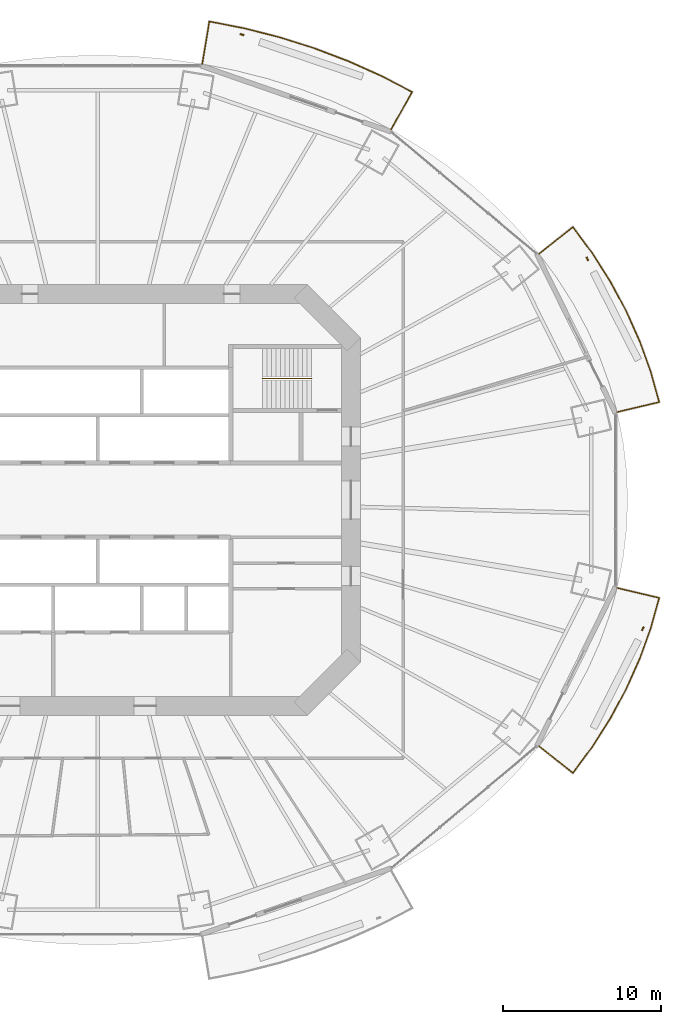
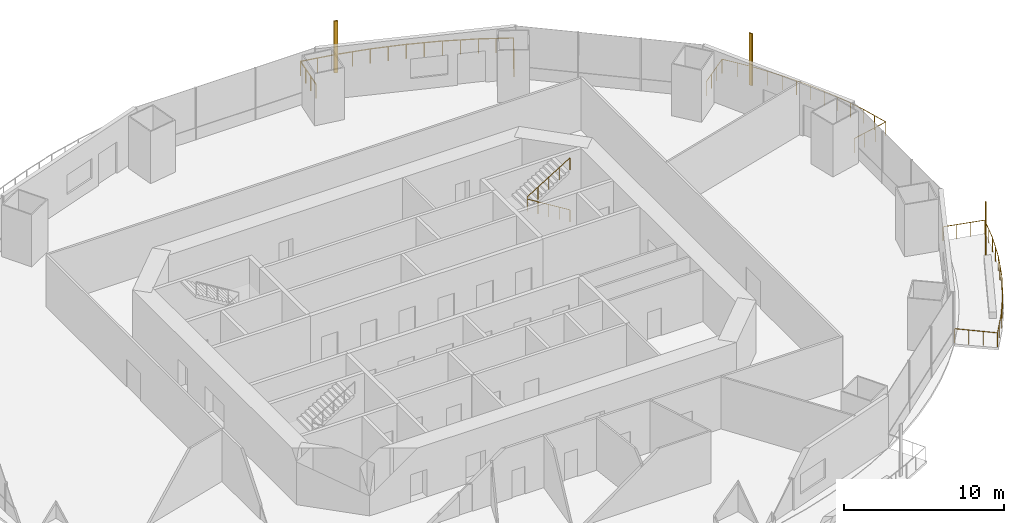
# One storey, part 19 of 20: 4 railings, 3 shading devices.
"""IFC4 building model written with IfcOpenShell, lengths in metres."""

from ifc_helpers import new_model, si_unit, direction, frame, origin, origin_2d, place, context, subcontext, project, spatial, rectangle, circle, extrude, material, material_profile, profile_set, type_object, element, save


model = new_model("IFC4")

# Units and contexts
model_context = context("Model", 3, precision=1e-05, world=origin(), true_north=direction((0.0, 1.0)))
body_context = subcontext(model_context, "Body", "Model", "MODEL_VIEW")
ifc_project = project(units=[si_unit("LENGTHUNIT", "METRE"), si_unit("AREAUNIT", "SQUARE_METRE"), si_unit("VOLUMEUNIT", "CUBIC_METRE"), si_unit("PLANEANGLEUNIT", "RADIAN"), si_unit("MASSUNIT", "GRAM", prefix="KILO")], contexts=[model_context])

# Site, building, storey
site_placement = place(None, origin())
site = spatial("IfcSite", under=ifc_project, at=site_placement, CompositionType="ELEMENT")
building_placement = place(site_placement, origin())
building = spatial("IfcBuilding", under=site, at=building_placement, Name="Marenthal Gate Tower", CompositionType="ELEMENT")
storey_placement = place(building_placement, frame((0.0, 0.0, 132.60009765625)))
storey = spatial("IfcBuildingStorey", under=building, at=storey_placement, Name="L28", CompositionType="ELEMENT", Elevation=132.60009765625)

# Railings
ifc_material_1 = material(Name="Stainless steel", Category="steel")
railing_type_1 = type_object("IfcRailingType", Name="Balcony guard 1100", PredefinedType="GUARDRAIL", material=ifc_material_1)
railing_1_placement = place(storey_placement, frame((27.872314453125, 15.5361328125, 0.0)))
element("IfcRailing", 1, at=railing_1_placement, inside=storey, type_object=railing_type_1, Name="Balcony guard L28 bay 1", PredefinedType="GUARDRAIL", context=body_context, shape_type="SweptSolid", body=[
    extrude(circle(Radius=0.02392578125, at=origin_2d()), frame((0.0, 0.0, 1.076171875), z_axis=(0.782497400994, 0.622479868482, -0.014718382127), x_axis=(-0.622547303586, 0.782582171275, 0.0)), (0.0, 0.0, 1.0), 2.720458984375),
    extrude(circle(Radius=0.02392578125, at=origin_2d()), frame((2.128662109375, 1.693359375, 1.0361328125), z_axis=(0.594330839548, -0.80422064955, 0.0), x_axis=(0.80422064955, 0.594330839548, 0.0)), (0.0, 0.0, 1.0), 2.0517578125),
    extrude(circle(Radius=0.02392578125, at=origin_2d()), frame((3.34814453125, 0.043212890625, 1.0361328125), z_axis=(0.537211554798, -0.843447535649, 0.0), x_axis=(0.843447535649, 0.537211554798, 0.0)), (0.0, 0.0, 1.0), 2.114990234375),
    extrude(circle(Radius=0.02392578125, at=origin_2d()), frame((4.484375, -1.74072265625, 1.0361328125), z_axis=(0.475084098287, -0.879940395456, 0.0), x_axis=(0.879940395456, 0.475084098287, 0.0)), (0.0, 0.0, 1.0), 2.099853515625),
    extrude(circle(Radius=0.02392578125, at=origin_2d()), frame((5.48193359375, -3.58837890625, 1.0361328125), z_axis=(0.409274320643, -0.912411382252, 0.0), x_axis=(0.912411382252, 0.409274320643, 0.0)), (0.0, 0.0, 1.0), 2.0859375),
    extrude(circle(Radius=0.02392578125, at=origin_2d()), frame((6.335693359375, -5.49169921875, 1.0361328125), z_axis=(0.339927901039, -0.940451499066, 0.0), x_axis=(0.940451499066, 0.339927901039, 0.0)), (0.0, 0.0, 1.0), 2.07421875),
    extrude(circle(Radius=0.02392578125, at=origin_2d()), frame((7.040771484375, -7.4423828125, 1.0361328125), z_axis=(0.269159912303, -0.963095499735, 0.0), x_axis=(0.963095499735, 0.269159912303, 0.0)), (0.0, 0.0, 1.0), 1.984619140625),
    extrude(circle(Radius=0.02392578125, at=origin_2d()), frame((7.574951171875, -9.353759765625, 1.0361328125), z_axis=(-0.972966930586, -0.230474963356, 0.014718806071), x_axis=(0.230499932836, -0.973072341074, 0.0)), (0.0, 0.0, 1.0), 2.72021484375),
    extrude(circle(Radius=0.02099609375, at=origin_2d()), origin(), (0.0, 0.0, 1.0), 1.052001953125),
    extrude(circle(Radius=0.02099609375, at=origin_2d()), frame((0.70947265625, 0.564453125, -0.013427734375)), (0.0, 0.0, 1.0), 1.052001953125),
    extrude(circle(Radius=0.02099609375, at=origin_2d()), frame((1.419189453125, 1.12890625, -0.026611328125)), (0.0, 0.0, 1.0), 1.052001953125),
    extrude(circle(Radius=0.02099609375, at=origin_2d()), frame((2.128662109375, 1.693359375, -0.0400390625)), (0.0, 0.0, 1.0), 1.052001953125),
    extrude(circle(Radius=0.02099609375, at=origin_2d()), frame((2.73828125, 0.8681640625, -0.0400390625)), (0.0, 0.0, 1.0), 1.052001953125),
    extrude(circle(Radius=0.02099609375, at=origin_2d()), frame((3.34814453125, 0.043212890625, -0.0400390625)), (0.0, 0.0, 1.0), 1.052001953125),
    extrude(circle(Radius=0.02099609375, at=origin_2d()), frame((3.916259765625, -0.8486328125, -0.0400390625)), (0.0, 0.0, 1.0), 1.052001953125),
    extrude(circle(Radius=0.02099609375, at=origin_2d()), frame((4.484375, -1.74072265625, -0.0400390625)), (0.0, 0.0, 1.0), 1.052001953125),
    extrude(circle(Radius=0.02099609375, at=origin_2d()), frame((4.983154296875, -2.66455078125, -0.0400390625)), (0.0, 0.0, 1.0), 1.052001953125),
    extrude(circle(Radius=0.02099609375, at=origin_2d()), frame((5.48193359375, -3.58837890625, -0.0400390625)), (0.0, 0.0, 1.0), 1.052001953125),
    extrude(circle(Radius=0.02099609375, at=origin_2d()), frame((5.90869140625, -4.5400390625, -0.0400390625)), (0.0, 0.0, 1.0), 1.052001953125),
    extrude(circle(Radius=0.02099609375, at=origin_2d()), frame((6.335693359375, -5.49169921875, -0.0400390625)), (0.0, 0.0, 1.0), 1.052001953125),
    extrude(circle(Radius=0.02099609375, at=origin_2d()), frame((6.688232421875, -6.467041015625, -0.0400390625)), (0.0, 0.0, 1.0), 1.052001953125),
    extrude(circle(Radius=0.02099609375, at=origin_2d()), frame((7.040771484375, -7.4423828125, -0.0400390625)), (0.0, 0.0, 1.0), 1.052001953125),
    extrude(circle(Radius=0.02099609375, at=origin_2d()), frame((7.307861328125, -8.39794921875, -0.0400390625)), (0.0, 0.0, 1.0), 1.052001953125),
    extrude(circle(Radius=0.02099609375, at=origin_2d()), frame((7.574951171875, -9.353759765625, -0.0400390625)), (0.0, 0.0, 1.0), 1.052001953125),
    extrude(circle(Radius=0.02099609375, at=origin_2d()), frame((6.692626953125, -9.562744140625, -0.026611328125)), (0.0, 0.0, 1.0), 1.052001953125),
    extrude(circle(Radius=0.02099609375, at=origin_2d()), frame((5.810546875, -9.771728515625, -0.013427734375)), (0.0, 0.0, 1.0), 1.052001953125),
    extrude(circle(Radius=0.02099609375, at=origin_2d()), frame((4.92822265625, -9.980712890625, 0.0)), (0.0, 0.0, 1.0), 1.052001953125),
])
railing_2_placement = place(storey_placement, frame((6.60693359375, 27.5244140625, 0.0)))
element("IfcRailing", 2, at=railing_2_placement, inside=storey, type_object=railing_type_1, Name="Balcony guard L28 bay 3", PredefinedType="GUARDRAIL", context=body_context, shape_type="SweptSolid", body=[
    extrude(circle(Radius=0.02392578125, at=origin_2d()), frame((0.0, 0.0, 1.076171875), z_axis=(0.164774109377, 0.986221507592, -0.014718384498), x_axis=(-0.986328347949, 0.164791959854, 0.0)), (0.0, 0.0, 1.0), 2.720458984375),
    extrude(circle(Radius=0.02392578125, at=origin_2d()), frame((0.4482421875, 2.682861328125, 1.0361328125), z_axis=(0.981190742026, -0.193040741199, 0.0), x_axis=(0.193040741199, 0.981190742026, 0.0)), (0.0, 0.0, 1.0), 2.244873046875),
    extrude(circle(Radius=0.02392578125, at=origin_2d()), frame((2.65087890625, 2.24951171875, 1.0361328125), z_axis=(0.969110463154, -0.246627067057, 0.0), x_axis=(0.246627067057, 0.969110463154, 0.0)), (0.0, 0.0, 1.0), 2.3154296875),
    extrude(circle(Radius=0.02392578125, at=origin_2d()), frame((4.894775390625, 1.678466796875, 1.0361328125), z_axis=(0.953555439672, -0.301217568332, 0.0), x_axis=(0.301217568332, 0.953555439672, 0.0)), (0.0, 0.0, 1.0), 2.30419921875),
    extrude(circle(Radius=0.02392578125, at=origin_2d()), frame((7.092041015625, 0.984375, 1.0361328125), z_axis=(0.934725540452, -0.355370460261, 0.0), x_axis=(0.355370460261, 0.934725540452, 0.0)), (0.0, 0.0, 1.0), 2.291259765625),
    extrude(circle(Radius=0.02392578125, at=origin_2d()), frame((9.233642578125, 0.170166015625, 1.0361328125), z_axis=(0.912426484208, -0.409240651591, 0.0), x_axis=(0.409240651591, 0.912426484208, 0.0)), (0.0, 0.0, 1.0), 2.276611328125),
    extrude(circle(Radius=0.02392578125, at=origin_2d()), frame((11.310791015625, -0.761474609375, 1.0361328125), z_axis=(0.887053580422, -0.461666487261, 0.0), x_axis=(0.461666487261, 0.887053580422, 0.0)), (0.0, 0.0, 1.0), 2.180419921875),
    extrude(circle(Radius=0.02392578125, at=origin_2d()), frame((13.244873046875, -1.76806640625, 1.0361328125), z_axis=(-0.489304532784, -0.871988782196, 0.014718624977), x_axis=(0.872083250464, -0.489357542356, 0.0)), (0.0, 0.0, 1.0), 2.72021484375),
    extrude(circle(Radius=0.02099609375, at=origin_2d()), origin(), (0.0, 0.0, 1.0), 1.052001953125),
    extrude(circle(Radius=0.02099609375, at=origin_2d()), frame((0.1494140625, 0.894287109375, -0.013427734375)), (0.0, 0.0, 1.0), 1.052001953125),
    extrude(circle(Radius=0.02099609375, at=origin_2d()), frame((0.298828125, 1.78857421875, -0.026611328125)), (0.0, 0.0, 1.0), 1.052001953125),
    extrude(circle(Radius=0.02099609375, at=origin_2d()), frame((0.4482421875, 2.682861328125, -0.0400390625)), (0.0, 0.0, 1.0), 1.052001953125),
    extrude(circle(Radius=0.02099609375, at=origin_2d()), frame((1.549560546875, 2.46630859375, -0.0400390625)), (0.0, 0.0, 1.0), 1.052001953125),
    extrude(circle(Radius=0.02099609375, at=origin_2d()), frame((2.65087890625, 2.24951171875, -0.0400390625)), (0.0, 0.0, 1.0), 1.052001953125),
    extrude(circle(Radius=0.02099609375, at=origin_2d()), frame((3.77294921875, 1.9638671875, -0.0400390625)), (0.0, 0.0, 1.0), 1.052001953125),
    extrude(circle(Radius=0.02099609375, at=origin_2d()), frame((4.894775390625, 1.678466796875, -0.0400390625)), (0.0, 0.0, 1.0), 1.052001953125),
    extrude(circle(Radius=0.02099609375, at=origin_2d()), frame((5.993408203125, 1.33154296875, -0.0400390625)), (0.0, 0.0, 1.0), 1.052001953125),
    extrude(circle(Radius=0.02099609375, at=origin_2d()), frame((7.092041015625, 0.984375, -0.0400390625)), (0.0, 0.0, 1.0), 1.052001953125),
    extrude(circle(Radius=0.02099609375, at=origin_2d()), frame((8.162841796875, 0.5771484375, -0.0400390625)), (0.0, 0.0, 1.0), 1.052001953125),
    extrude(circle(Radius=0.02099609375, at=origin_2d()), frame((9.233642578125, 0.170166015625, -0.0400390625)), (0.0, 0.0, 1.0), 1.052001953125),
    extrude(circle(Radius=0.02099609375, at=origin_2d()), frame((10.272216796875, -0.295654296875, -0.0400390625)), (0.0, 0.0, 1.0), 1.052001953125),
    extrude(circle(Radius=0.02099609375, at=origin_2d()), frame((11.310791015625, -0.761474609375, -0.0400390625)), (0.0, 0.0, 1.0), 1.052001953125),
    extrude(circle(Radius=0.02099609375, at=origin_2d()), frame((12.27783203125, -1.2646484375, -0.0400390625)), (0.0, 0.0, 1.0), 1.052001953125),
    extrude(circle(Radius=0.02099609375, at=origin_2d()), frame((13.244873046875, -1.76806640625, -0.0400390625)), (0.0, 0.0, 1.0), 1.052001953125),
    extrude(circle(Radius=0.02099609375, at=origin_2d()), frame((12.80126953125, -2.558837890625, -0.026611328125)), (0.0, 0.0, 1.0), 1.052001953125),
    extrude(circle(Radius=0.02099609375, at=origin_2d()), frame((12.357421875, -3.349365234375, -0.013427734375)), (0.0, 0.0, 1.0), 1.052001953125),
    extrude(circle(Radius=0.02099609375, at=origin_2d()), frame((11.913818359375, -4.14013671875, 0.0)), (0.0, 0.0, 1.0), 1.052001953125),
])
railing_3_placement = place(storey_placement, frame((32.800537109375, -5.555419921875, 0.0)))
element("IfcRailing", 3, at=railing_3_placement, inside=storey, type_object=railing_type_1, Name="Balcony guard L28 bay 15", PredefinedType="GUARDRAIL", context=body_context, shape_type="SweptSolid", body=[
    extrude(circle(Radius=0.02392578125, at=origin_2d()), frame((0.0, 0.0, 1.076171875), z_axis=(0.972966930586, -0.230474963356, -0.014718806071), x_axis=(0.230499932836, 0.973072341074, 0.0)), (0.0, 0.0, 1.0), 2.72021484375),
    extrude(circle(Radius=0.02392578125, at=origin_2d()), frame((2.646728515625, -0.626953125, 1.0361328125), z_axis=(-0.269159912303, -0.963095499735, 0.0), x_axis=(0.963095499735, -0.269159912303, 0.0)), (0.0, 0.0, 1.0), 1.984619140625),
    extrude(circle(Radius=0.02392578125, at=origin_2d()), frame((2.112548828125, -2.538330078125, 1.0361328125), z_axis=(-0.339927901039, -0.940451499066, 0.0), x_axis=(0.940451499066, -0.339927901039, 0.0)), (0.0, 0.0, 1.0), 2.07421875),
    extrude(circle(Radius=0.02392578125, at=origin_2d()), frame((1.407470703125, -4.489013671875, 1.0361328125), z_axis=(-0.409274320643, -0.912411382252, 0.0), x_axis=(0.912411382252, -0.409274320643, 0.0)), (0.0, 0.0, 1.0), 2.0859375),
    extrude(circle(Radius=0.02392578125, at=origin_2d()), frame((0.5537109375, -6.392333984375, 1.0361328125), z_axis=(-0.475084098287, -0.879940395456, 0.0), x_axis=(0.879940395456, -0.475084098287, 0.0)), (0.0, 0.0, 1.0), 2.099853515625),
    extrude(circle(Radius=0.02392578125, at=origin_2d()), frame((-0.44384765625, -8.239990234375, 1.0361328125), z_axis=(-0.537211554798, -0.843447535649, 0.0), x_axis=(0.843447535649, -0.537211554798, 0.0)), (0.0, 0.0, 1.0), 2.114990234375),
    extrude(circle(Radius=0.02392578125, at=origin_2d()), frame((-1.580078125, -10.02392578125, 1.0361328125), z_axis=(-0.594330839548, -0.80422064955, 0.0), x_axis=(0.80422064955, -0.594330839548, 0.0)), (0.0, 0.0, 1.0), 2.0517578125),
    extrude(circle(Radius=0.02392578125, at=origin_2d()), frame((-2.799560546875, -11.674072265625, 1.0361328125), z_axis=(-0.782497400994, 0.622479868482, 0.014718382127), x_axis=(-0.622547303586, -0.782582171275, 0.0)), (0.0, 0.0, 1.0), 2.720458984375),
    extrude(circle(Radius=0.02099609375, at=origin_2d()), origin(), (0.0, 0.0, 1.0), 1.052001953125),
    extrude(circle(Radius=0.02099609375, at=origin_2d()), frame((0.88232421875, -0.208984375, -0.013427734375)), (0.0, 0.0, 1.0), 1.052001953125),
    extrude(circle(Radius=0.02099609375, at=origin_2d()), frame((1.764404296875, -0.41796875, -0.026611328125)), (0.0, 0.0, 1.0), 1.052001953125),
    extrude(circle(Radius=0.02099609375, at=origin_2d()), frame((2.646728515625, -0.626953125, -0.0400390625)), (0.0, 0.0, 1.0), 1.052001953125),
    extrude(circle(Radius=0.02099609375, at=origin_2d()), frame((2.379638671875, -1.58251953125, -0.0400390625)), (0.0, 0.0, 1.0), 1.052001953125),
    extrude(circle(Radius=0.02099609375, at=origin_2d()), frame((2.112548828125, -2.538330078125, -0.0400390625)), (0.0, 0.0, 1.0), 1.052001953125),
    extrude(circle(Radius=0.02099609375, at=origin_2d()), frame((1.760009765625, -3.513671875, -0.0400390625)), (0.0, 0.0, 1.0), 1.052001953125),
    extrude(circle(Radius=0.02099609375, at=origin_2d()), frame((1.407470703125, -4.489013671875, -0.0400390625)), (0.0, 0.0, 1.0), 1.052001953125),
    extrude(circle(Radius=0.02099609375, at=origin_2d()), frame((0.98046875, -5.440673828125, -0.0400390625)), (0.0, 0.0, 1.0), 1.052001953125),
    extrude(circle(Radius=0.02099609375, at=origin_2d()), frame((0.5537109375, -6.392333984375, -0.0400390625)), (0.0, 0.0, 1.0), 1.052001953125),
    extrude(circle(Radius=0.02099609375, at=origin_2d()), frame((0.054931640625, -7.316162109375, -0.0400390625)), (0.0, 0.0, 1.0), 1.052001953125),
    extrude(circle(Radius=0.02099609375, at=origin_2d()), frame((-0.44384765625, -8.239990234375, -0.0400390625)), (0.0, 0.0, 1.0), 1.052001953125),
    extrude(circle(Radius=0.02099609375, at=origin_2d()), frame((-1.011962890625, -9.1318359375, -0.0400390625)), (0.0, 0.0, 1.0), 1.052001953125),
    extrude(circle(Radius=0.02099609375, at=origin_2d()), frame((-1.580078125, -10.02392578125, -0.0400390625)), (0.0, 0.0, 1.0), 1.052001953125),
    extrude(circle(Radius=0.02099609375, at=origin_2d()), frame((-2.18994140625, -10.84912109375, -0.0400390625)), (0.0, 0.0, 1.0), 1.052001953125),
    extrude(circle(Radius=0.02099609375, at=origin_2d()), frame((-2.799560546875, -11.674072265625, -0.0400390625)), (0.0, 0.0, 1.0), 1.052001953125),
    extrude(circle(Radius=0.02099609375, at=origin_2d()), frame((-3.509033203125, -11.109619140625, -0.026611328125)), (0.0, 0.0, 1.0), 1.052001953125),
    extrude(circle(Radius=0.02099609375, at=origin_2d()), frame((-4.21875, -10.545166015625, -0.013427734375)), (0.0, 0.0, 1.0), 1.052001953125),
    extrude(circle(Radius=0.02099609375, at=origin_2d()), frame((-4.92822265625, -9.980712890625, 0.0)), (0.0, 0.0, 1.0), 1.052001953125),
])
ifc_material_2 = material(Name="Stainless steel", Category="steel")
railing_type_2 = type_object("IfcRailingType", Name="Stair handrail", PredefinedType="HANDRAIL", material=ifc_material_2)
railing_4_placement = place(storey_placement, frame((13.5, 7.675048828125, 0.1728515625)))
element("IfcRailing", 4, at=railing_4_placement, inside=storey, type_object=railing_type_2, Name="Handrail ST3", PredefinedType="HANDRAIL", context=body_context, shape_type="SweptSolid", body=[
    extrude(circle(Radius=0.0224609375, at=origin_2d()), frame((0.0, 0.0, 0.927490234375), z_axis=(-0.850835241893, 0.0, 0.525432575268), x_axis=(0.0, -1.0, 0.0)), (0.0, 0.0, 1.0), 3.6201171875),
    extrude(circle(Radius=0.0224609375, at=origin_2d()), frame((-3.080078125, 0.0, 2.82958984375), z_axis=(0.0, 0.0, 1.0), x_axis=(1.0, 0.0, 0.0)), (0.0, 0.0, 1.0), 0.1728515625),
    extrude(circle(Radius=0.0224609375, at=origin_2d()), frame((-3.080078125, 0.0, 3.00244140625), z_axis=(0.850835241893, 0.0, 0.525432575268), x_axis=(0.0, 1.0, 0.0)), (0.0, 0.0, 1.0), 3.6201171875),
    extrude(circle(Radius=0.02001953125, at=origin_2d()), origin(), (0.0, 0.0, 1.0), 0.905029296875),
    extrude(circle(Radius=0.02001953125, at=origin_2d()), frame((-0.77001953125, 0.0, 0.4755859375)), (0.0, 0.0, 1.0), 0.905029296875),
    extrude(circle(Radius=0.02001953125, at=origin_2d()), frame((-1.5400390625, 0.0, 0.951171875)), (0.0, 0.0, 1.0), 0.905029296875),
    extrude(circle(Radius=0.02001953125, at=origin_2d()), frame((-2.31005859375, 0.0, 1.426513671875)), (0.0, 0.0, 1.0), 0.905029296875),
    extrude(circle(Radius=0.02001953125, at=origin_2d()), frame((-3.080078125, 0.0, 1.902099609375)), (0.0, 0.0, 1.0), 0.905029296875),
    extrude(circle(Radius=0.02001953125, at=origin_2d()), frame((-3.080078125, 0.0, 2.074951171875)), (0.0, 0.0, 1.0), 0.905029296875),
    extrude(circle(Radius=0.02001953125, at=origin_2d()), frame((-2.31005859375, 0.0, 2.550537109375)), (0.0, 0.0, 1.0), 0.905029296875),
    extrude(circle(Radius=0.02001953125, at=origin_2d()), frame((-1.5400390625, 0.0, 3.02587890625)), (0.0, 0.0, 1.0), 0.905029296875),
    extrude(circle(Radius=0.02001953125, at=origin_2d()), frame((-0.77001953125, 0.0, 3.50146484375)), (0.0, 0.0, 1.0), 0.905029296875),
    extrude(circle(Radius=0.02001953125, at=origin_2d()), frame((0.0, 0.0, 3.97705078125)), (0.0, 0.0, 1.0), 0.905029296875),
])

# Shading devices
ifc_material_3 = material(Name="Terracotta", Category="masonry")
ifc_material_profile = material_profile(ifc_material_3, rectangle(XDim=0.25, YDim=0.080078125, at=origin_2d()), Name="Terracotta baguette 250x80")
ifc_profile_set = profile_set([ifc_material_profile], Name="Terracotta")
shading_device_type = type_object("IfcShadingDeviceType", Name="Terracotta BAGUETTE SCREEN 250x80", PredefinedType="USERDEFINED", material=ifc_profile_set)
for number, where, z_axis, x_axis, name in (
    (5, (30.916748046875, 15.217529296875, -0.0400390625), (0.0, 0.0, 1.0), (-0.442571643987, 0.896733148678, 0.0), "Terracotta BAGUETTE L28 bay 1R"),
    (6, (9.11376953125, 29.37841796875, -0.0400390625), (0.0, 0.0, 1.0), (-0.944551667682, 0.328362828405, 0.0), "Terracotta BAGUETTE L28 bay 3R"),
    (7, (34.416748046875, -8.12548828125, -0.0400390625), (0.0, 0.0, 1.0), (0.442571643987, 0.896733148678, 0.0), "Terracotta BAGUETTE L28 bay 15R"),
):
    element("IfcShadingDevice", number, at=place(storey_placement, frame(where, z_axis=z_axis, x_axis=x_axis)), inside=storey, type_object=shading_device_type, Name=name, ObjectType="BAGUETTE SCREEN", PredefinedType="USERDEFINED", context=body_context, shape_type="SweptSolid", body=[
        extrude(rectangle(XDim=0.25, YDim=0.080078125, at=origin_2d()), origin(), (0.0, 0.0, 1.0), 3.969970703125),
    ])

save(model, "model.ifc")
